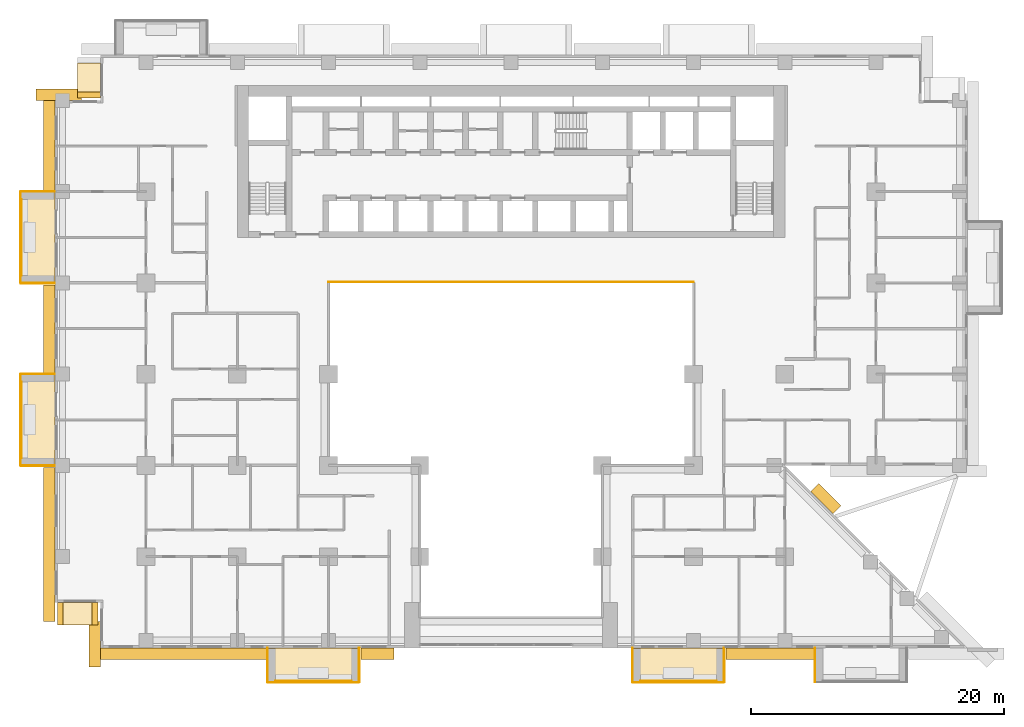
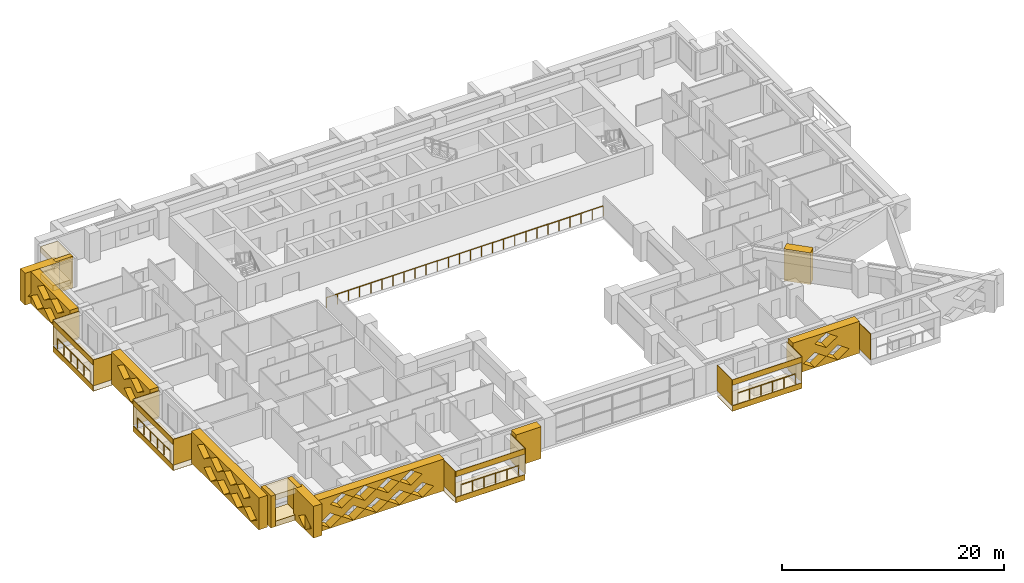
# One storey, part 14 of 17: 37 coverings, 5 railings.
"""IFC4 building model written with IfcOpenShell, lengths in metres."""

from ifc_helpers import new_model, si_unit, direction, frame, origin, origin_2d, place, context, subcontext, project, spatial, polyline, circle, outline, extrude, material, layer, layer_set, type_object, element, save


model = new_model("IFC4")

# Units and contexts
model_context = context("Model", 3, precision=1e-05, world=origin(), true_north=direction((0.0, 1.0)))
body_context = subcontext(model_context, "Body", "Model", "MODEL_VIEW")
ifc_project = project(units=[si_unit("LENGTHUNIT", "METRE"), si_unit("AREAUNIT", "SQUARE_METRE"), si_unit("VOLUMEUNIT", "CUBIC_METRE"), si_unit("PLANEANGLEUNIT", "RADIAN"), si_unit("MASSUNIT", "GRAM", prefix="KILO")], contexts=[model_context])

# Site, building, storey
site_placement = place(None, origin())
site = spatial("IfcSite", under=ifc_project, at=site_placement, CompositionType="ELEMENT")
building_placement = place(site_placement, origin())
building = spatial("IfcBuilding", under=site, at=building_placement, Name="Saffron Iwan Residences", CompositionType="ELEMENT")
storey_placement = place(building_placement, frame((0.0, 0.0, 37.5)))
storey = spatial("IfcBuildingStorey", under=building, at=storey_placement, Name="L08", CompositionType="ELEMENT", Elevation=37.5)

# Railings
ifc_material_1 = material(Name="Stainless steel 316", Category="steel")
railing_type_1 = type_object("IfcRailingType", Name="Atrium guard 1150", PredefinedType="GUARDRAIL", material=ifc_material_1)
railing_placement = place(storey_placement, frame((36.0, 62.47509765625, 0.0)))
element("IfcRailing", 1, at=railing_placement, inside=storey, type_object=railing_type_1, Name="Atrium guard L08", PredefinedType="GUARDRAIL", context=body_context, shape_type="SweptSolid", body=[
    extrude(circle(Radius=0.02392578125, at=origin_2d()), frame((0.0, 0.0, 1.1259765625), z_axis=(1.0, 0.0, 0.0), x_axis=(0.0, 1.0, 0.0)), (0.0, 0.0, 1.0), 28.800048828125),
    extrude(circle(Radius=0.02099609375, at=origin_2d()), origin(), (0.0, 0.0, 1.0), 1.101806640625),
    extrude(circle(Radius=0.02099609375, at=origin_2d()), frame((1.152099609375, 0.0, 0.0)), (0.0, 0.0, 1.0), 1.101806640625),
    extrude(circle(Radius=0.02099609375, at=origin_2d()), frame((2.303955078125, 0.0, 0.0)), (0.0, 0.0, 1.0), 1.101806640625),
    extrude(circle(Radius=0.02099609375, at=origin_2d()), frame((3.4560546875, 0.0, 0.0)), (0.0, 0.0, 1.0), 1.101806640625),
    extrude(circle(Radius=0.02099609375, at=origin_2d()), frame((4.60791015625, 0.0, 0.0)), (0.0, 0.0, 1.0), 1.101806640625),
    extrude(circle(Radius=0.02099609375, at=origin_2d()), frame((5.760009765625, 0.0, 0.0)), (0.0, 0.0, 1.0), 1.101806640625),
    extrude(circle(Radius=0.02099609375, at=origin_2d()), frame((6.912109375, 0.0, 0.0)), (0.0, 0.0, 1.0), 1.101806640625),
    extrude(circle(Radius=0.02099609375, at=origin_2d()), frame((8.06396484375, 0.0, 0.0)), (0.0, 0.0, 1.0), 1.101806640625),
    extrude(circle(Radius=0.02099609375, at=origin_2d()), frame((9.216064453125, 0.0, 0.0)), (0.0, 0.0, 1.0), 1.101806640625),
    extrude(circle(Radius=0.02099609375, at=origin_2d()), frame((10.367919921875, 0.0, 0.0)), (0.0, 0.0, 1.0), 1.101806640625),
    extrude(circle(Radius=0.02099609375, at=origin_2d()), frame((11.52001953125, 0.0, 0.0)), (0.0, 0.0, 1.0), 1.101806640625),
    extrude(circle(Radius=0.02099609375, at=origin_2d()), frame((12.672119140625, 0.0, 0.0)), (0.0, 0.0, 1.0), 1.101806640625),
    extrude(circle(Radius=0.02099609375, at=origin_2d()), frame((13.823974609375, 0.0, 0.0)), (0.0, 0.0, 1.0), 1.101806640625),
    extrude(circle(Radius=0.02099609375, at=origin_2d()), frame((14.97607421875, 0.0, 0.0)), (0.0, 0.0, 1.0), 1.101806640625),
    extrude(circle(Radius=0.02099609375, at=origin_2d()), frame((16.1279296875, 0.0, 0.0)), (0.0, 0.0, 1.0), 1.101806640625),
    extrude(circle(Radius=0.02099609375, at=origin_2d()), frame((17.280029296875, 0.0, 0.0)), (0.0, 0.0, 1.0), 1.101806640625),
    extrude(circle(Radius=0.02099609375, at=origin_2d()), frame((18.43212890625, 0.0, 0.0)), (0.0, 0.0, 1.0), 1.101806640625),
    extrude(circle(Radius=0.02099609375, at=origin_2d()), frame((19.583984375, 0.0, 0.0)), (0.0, 0.0, 1.0), 1.101806640625),
    extrude(circle(Radius=0.02099609375, at=origin_2d()), frame((20.736083984375, 0.0, 0.0)), (0.0, 0.0, 1.0), 1.101806640625),
    extrude(circle(Radius=0.02099609375, at=origin_2d()), frame((21.887939453125, 0.0, 0.0)), (0.0, 0.0, 1.0), 1.101806640625),
    extrude(circle(Radius=0.02099609375, at=origin_2d()), frame((23.0400390625, 0.0, 0.0)), (0.0, 0.0, 1.0), 1.101806640625),
    extrude(circle(Radius=0.02099609375, at=origin_2d()), frame((24.192138671875, 0.0, 0.0)), (0.0, 0.0, 1.0), 1.101806640625),
    extrude(circle(Radius=0.02099609375, at=origin_2d()), frame((25.343994140625, 0.0, 0.0)), (0.0, 0.0, 1.0), 1.101806640625),
    extrude(circle(Radius=0.02099609375, at=origin_2d()), frame((26.49609375, 0.0, 0.0)), (0.0, 0.0, 1.0), 1.101806640625),
    extrude(circle(Radius=0.02099609375, at=origin_2d()), frame((27.64794921875, 0.0, 0.0)), (0.0, 0.0, 1.0), 1.101806640625),
    extrude(circle(Radius=0.02099609375, at=origin_2d()), frame((28.800048828125, 0.0, 0.0)), (0.0, 0.0, 1.0), 1.101806640625),
])
railing_type_2 = type_object("IfcRailingType", Name="BALCONY GUARD 1150", PredefinedType="GUARDRAIL", material=ifc_material_1)
for number, where, name in (
    (2, (11.77490234375, 69.0, 0.0), "Balcony guard L08 F8-0"),
    (3, (11.77490234375, 54.60009765625, 0.0), "Balcony guard L08 F8-1"),
):
    element("IfcRailing", number, at=place(storey_placement, frame(where)), inside=storey, type_object=railing_type_2, Name=name, PredefinedType="GUARDRAIL", context=body_context, shape_type="SweptSolid", body=[
        extrude(circle(Radius=0.02392578125, at=origin_2d()), frame((0.0, 0.0, 1.1259765625), z_axis=(0.0, -1.0, 0.0), x_axis=(1.0, 0.0, 0.0)), (0.0, 0.0, 1.0), 6.0),
        extrude(circle(Radius=0.02099609375, at=origin_2d()), origin(), (0.0, 0.0, 1.0), 1.101806640625),
        extrude(circle(Radius=0.02099609375, at=origin_2d()), frame((0.0, -1.199951171875, 0.0)), (0.0, 0.0, 1.0), 1.101806640625),
        extrude(circle(Radius=0.02099609375, at=origin_2d()), frame((0.0, -2.39990234375, 0.0)), (0.0, 0.0, 1.0), 1.101806640625),
        extrude(circle(Radius=0.02099609375, at=origin_2d()), frame((0.0, -3.60009765625, 0.0)), (0.0, 0.0, 1.0), 1.101806640625),
        extrude(circle(Radius=0.02099609375, at=origin_2d()), frame((0.0, -4.800048828125, 0.0)), (0.0, 0.0, 1.0), 1.101806640625),
        extrude(circle(Radius=0.02099609375, at=origin_2d()), frame((0.0, -6.0, 0.0)), (0.0, 0.0, 1.0), 1.101806640625),
    ])
for number, where, name in (
    (4, (31.800048828125, 30.97509765625, 0.0), "Balcony guard L08 11-0"),
    (5, (60.60009765625, 30.97509765625, 0.0), "Balcony guard L08 11-1"),
):
    element("IfcRailing", number, at=place(storey_placement, frame(where)), inside=storey, type_object=railing_type_2, Name=name, PredefinedType="GUARDRAIL", context=body_context, shape_type="SweptSolid", body=[
        extrude(circle(Radius=0.02392578125, at=origin_2d()), frame((0.0, 0.0, 1.1259765625), z_axis=(1.0, 0.0, 0.0), x_axis=(0.0, 1.0, 0.0)), (0.0, 0.0, 1.0), 6.0),
        extrude(circle(Radius=0.02099609375, at=origin_2d()), origin(), (0.0, 0.0, 1.0), 1.101806640625),
        extrude(circle(Radius=0.02099609375, at=origin_2d()), frame((1.199951171875, 0.0, 0.0)), (0.0, 0.0, 1.0), 1.101806640625),
        extrude(circle(Radius=0.02099609375, at=origin_2d()), frame((2.39990234375, 0.0, 0.0)), (0.0, 0.0, 1.0), 1.101806640625),
        extrude(circle(Radius=0.02099609375, at=origin_2d()), frame((3.60009765625, 0.0, 0.0)), (0.0, 0.0, 1.0), 1.101806640625),
        extrude(circle(Radius=0.02099609375, at=origin_2d()), frame((4.800048828125, 0.0, 0.0)), (0.0, 0.0, 1.0), 1.101806640625),
        extrude(circle(Radius=0.02099609375, at=origin_2d()), frame((6.0, 0.0, 0.0)), (0.0, 0.0, 1.0), 1.101806640625),
    ])

# Coverings
ifc_material_2 = material(Name="Precast concrete C40/50 white painted", Category="concrete")
ifc_layer = layer(ifc_material_2, 0.050048828125)
ifc_layer_set = layer_set([ifc_layer], Name="Precast concrete C40/50 white painted")
covering_type_1 = type_object("IfcCoveringType", Name="FRAME SKIN PRECAST WHITE 50", PredefinedType="CLADDING", material=ifc_layer_set)
for number, where, name in (
    (6, (0.0, 0.0, -0.60009765625), "Frame skin slab edge L08 F8-0"),
    (7, (0.0, 0.0, 2.25), "Frame skin fascia L08 F8-0"),
):
    element("IfcCovering", number, at=place(storey_placement, frame(where)), inside=storey, type_object=covering_type_1, Name=name, PredefinedType="CLADDING", context=body_context, shape_type="SweptSolid", body=[
        extrude(outline(polyline([(11.64990234375, 69.60009765625), (11.64990234375, 62.39990234375), (11.699951171875, 62.39990234375), (11.699951171875, 69.60009765625), (11.64990234375, 69.60009765625)])), origin(), (0.0, 0.0, 1.0), 0.60009765625),
    ])
covering_1_placement = place(storey_placement, frame((0.0, 0.0, -0.64990234375)))
element("IfcCovering", 8, at=covering_1_placement, inside=storey, type_object=covering_type_1, Name="Frame skin soffit L08 F8-0", PredefinedType="CLADDING", context=body_context, shape_type="SweptSolid", body=[
    extrude(outline(polyline([(11.699951171875, 69.60009765625), (11.699951171875, 62.39990234375), (14.39990234375, 62.39990234375), (14.39990234375, 69.60009765625), (11.699951171875, 69.60009765625)])), origin(), (0.0, 0.0, 1.0), 0.0498046875),
])
covering_2_placement = place(storey_placement, origin())
element("IfcCovering", 9, at=covering_2_placement, inside=storey, type_object=covering_type_1, Name="Frame skin fin L08 F8-0a", PredefinedType="CLADDING", context=body_context, shape_type="SweptSolid", body=[
    extrude(outline(polyline([(11.699951171875, 69.64990234375), (11.699951171875, 69.60009765625), (14.39990234375, 69.60009765625), (14.39990234375, 69.64990234375), (11.699951171875, 69.64990234375)])), origin(), (0.0, 0.0, 1.0), 2.85009765625),
])
covering_3_placement = place(storey_placement, origin())
element("IfcCovering", 10, at=covering_3_placement, inside=storey, type_object=covering_type_1, Name="Frame skin fin L08 F8-0b", PredefinedType="CLADDING", context=body_context, shape_type="SweptSolid", body=[
    extrude(outline(polyline([(11.699951171875, 62.39990234375), (11.699951171875, 62.35009765625), (14.39990234375, 62.35009765625), (14.39990234375, 62.39990234375), (11.699951171875, 62.39990234375)])), origin(), (0.0, 0.0, 1.0), 2.85009765625),
])
for number, where, name in (
    (11, (0.0, 0.0, -0.60009765625), "Frame skin slab edge L08 F8-1"),
    (12, (0.0, 0.0, 2.25), "Frame skin fascia L08 F8-1"),
):
    element("IfcCovering", number, at=place(storey_placement, frame(where)), inside=storey, type_object=covering_type_1, Name=name, PredefinedType="CLADDING", context=body_context, shape_type="SweptSolid", body=[
        extrude(outline(polyline([(11.64990234375, 55.199951171875), (11.64990234375, 48.0), (11.699951171875, 48.0), (11.699951171875, 55.199951171875), (11.64990234375, 55.199951171875)])), origin(), (0.0, 0.0, 1.0), 0.60009765625),
    ])
covering_4_placement = place(storey_placement, frame((0.0, 0.0, -0.64990234375)))
element("IfcCovering", 13, at=covering_4_placement, inside=storey, type_object=covering_type_1, Name="Frame skin soffit L08 F8-1", PredefinedType="CLADDING", context=body_context, shape_type="SweptSolid", body=[
    extrude(outline(polyline([(11.699951171875, 55.199951171875), (11.699951171875, 48.0), (14.39990234375, 48.0), (14.39990234375, 55.199951171875), (11.699951171875, 55.199951171875)])), origin(), (0.0, 0.0, 1.0), 0.0498046875),
])
covering_5_placement = place(storey_placement, origin())
element("IfcCovering", 14, at=covering_5_placement, inside=storey, type_object=covering_type_1, Name="Frame skin fin L08 F8-1a", PredefinedType="CLADDING", context=body_context, shape_type="SweptSolid", body=[
    extrude(outline(polyline([(11.699951171875, 55.25), (11.699951171875, 55.199951171875), (14.39990234375, 55.199951171875), (14.39990234375, 55.25), (11.699951171875, 55.25)])), origin(), (0.0, 0.0, 1.0), 2.85009765625),
])
covering_6_placement = place(storey_placement, origin())
element("IfcCovering", 15, at=covering_6_placement, inside=storey, type_object=covering_type_1, Name="Frame skin fin L08 F8-1b", PredefinedType="CLADDING", context=body_context, shape_type="SweptSolid", body=[
    extrude(outline(polyline([(11.699951171875, 48.0), (11.699951171875, 47.949951171875), (14.39990234375, 47.949951171875), (14.39990234375, 48.0), (11.699951171875, 48.0)])), origin(), (0.0, 0.0, 1.0), 2.85009765625),
])
for number, where, name in (
    (16, (0.0, 0.0, -0.60009765625), "Frame skin slab edge L08 11-0"),
    (17, (0.0, 0.0, 2.25), "Frame skin fascia L08 11-0"),
):
    element("IfcCovering", number, at=place(storey_placement, frame(where)), inside=storey, type_object=covering_type_1, Name=name, PredefinedType="CLADDING", context=body_context, shape_type="SweptSolid", body=[
        extrude(outline(polyline([(31.199951171875, 30.85009765625), (38.39990234375, 30.85009765625), (38.39990234375, 30.89990234375), (31.199951171875, 30.89990234375), (31.199951171875, 30.85009765625)])), origin(), (0.0, 0.0, 1.0), 0.60009765625),
    ])
covering_7_placement = place(storey_placement, frame((0.0, 0.0, -0.64990234375)))
element("IfcCovering", 18, at=covering_7_placement, inside=storey, type_object=covering_type_1, Name="Frame skin soffit L08 11-0", PredefinedType="CLADDING", context=body_context, shape_type="SweptSolid", body=[
    extrude(outline(polyline([(31.199951171875, 30.89990234375), (38.39990234375, 30.89990234375), (38.39990234375, 33.60009765625), (31.199951171875, 33.60009765625), (31.199951171875, 30.89990234375)])), origin(), (0.0, 0.0, 1.0), 0.0498046875),
])
covering_8_placement = place(storey_placement, origin())
element("IfcCovering", 19, at=covering_8_placement, inside=storey, type_object=covering_type_1, Name="Frame skin fin L08 11-0a", PredefinedType="CLADDING", context=body_context, shape_type="SweptSolid", body=[
    extrude(outline(polyline([(31.14990234375, 30.89990234375), (31.199951171875, 30.89990234375), (31.199951171875, 33.60009765625), (31.14990234375, 33.60009765625), (31.14990234375, 30.89990234375)])), origin(), (0.0, 0.0, 1.0), 2.85009765625),
])
covering_9_placement = place(storey_placement, origin())
element("IfcCovering", 20, at=covering_9_placement, inside=storey, type_object=covering_type_1, Name="Frame skin fin L08 11-0b", PredefinedType="CLADDING", context=body_context, shape_type="SweptSolid", body=[
    extrude(outline(polyline([(38.39990234375, 30.89990234375), (38.449951171875, 30.89990234375), (38.449951171875, 33.60009765625), (38.39990234375, 33.60009765625), (38.39990234375, 30.89990234375)])), origin(), (0.0, 0.0, 1.0), 2.85009765625),
])
for number, where, name in (
    (21, (0.0, 0.0, -0.60009765625), "Frame skin slab edge L08 11-1"),
    (22, (0.0, 0.0, 2.25), "Frame skin fascia L08 11-1"),
):
    element("IfcCovering", number, at=place(storey_placement, frame(where)), inside=storey, type_object=covering_type_1, Name=name, PredefinedType="CLADDING", context=body_context, shape_type="SweptSolid", body=[
        extrude(outline(polyline([(60.0, 30.85009765625), (67.199951171875, 30.85009765625), (67.199951171875, 30.89990234375), (60.0, 30.89990234375), (60.0, 30.85009765625)])), origin(), (0.0, 0.0, 1.0), 0.60009765625),
    ])
covering_10_placement = place(storey_placement, frame((0.0, 0.0, -0.64990234375)))
element("IfcCovering", 23, at=covering_10_placement, inside=storey, type_object=covering_type_1, Name="Frame skin soffit L08 11-1", PredefinedType="CLADDING", context=body_context, shape_type="SweptSolid", body=[
    extrude(outline(polyline([(60.0, 30.89990234375), (67.199951171875, 30.89990234375), (67.199951171875, 33.60009765625), (60.0, 33.60009765625), (60.0, 30.89990234375)])), origin(), (0.0, 0.0, 1.0), 0.0498046875),
])
covering_11_placement = place(storey_placement, origin())
element("IfcCovering", 24, at=covering_11_placement, inside=storey, type_object=covering_type_1, Name="Frame skin fin L08 11-1a", PredefinedType="CLADDING", context=body_context, shape_type="SweptSolid", body=[
    extrude(outline(polyline([(59.949951171875, 30.89990234375), (60.0, 30.89990234375), (60.0, 33.60009765625), (59.949951171875, 33.60009765625), (59.949951171875, 30.89990234375)])), origin(), (0.0, 0.0, 1.0), 2.85009765625),
])
covering_12_placement = place(storey_placement, origin())
element("IfcCovering", 25, at=covering_12_placement, inside=storey, type_object=covering_type_1, Name="Frame skin fin L08 11-1b", PredefinedType="CLADDING", context=body_context, shape_type="SweptSolid", body=[
    extrude(outline(polyline([(67.199951171875, 30.89990234375), (67.25, 30.89990234375), (67.25, 33.60009765625), (67.199951171875, 33.60009765625), (67.199951171875, 30.89990234375)])), origin(), (0.0, 0.0, 1.0), 2.85009765625),
])
covering_13_placement = place(storey_placement, origin())
element("IfcCovering", 26, at=covering_13_placement, inside=storey, type_object=covering_type_1, Name="Frame skin fin L08 11-2a", PredefinedType="CLADDING", context=body_context, shape_type="SweptSolid", body=[
    extrude(outline(polyline([(74.35009765625, 30.89990234375), (74.39990234375, 30.89990234375), (74.39990234375, 33.60009765625), (74.35009765625, 33.60009765625), (74.35009765625, 30.89990234375)])), origin(), (0.0, 0.0, 1.0), 2.85009765625),
])
ifc_material_3 = material(Name="Precast concrete C40/50", Category="concrete")
covering_type_2 = type_object("IfcCoveringType", Name="OUTER SKIN LATTICE SCREEN", PredefinedType="CLADDING", material=ifc_material_3)
covering_14_placement = place(storey_placement, frame((75.805908203125, 44.194091796875, -0.320068359375), z_axis=(0.707106781187, 0.707106781187, 0.0), x_axis=(-0.707106781187, 0.707106781187, 0.0)))
element("IfcCovering", 27, at=covering_14_placement, inside=storey, type_object=covering_type_2, Name="OUTER SKIN lattice screen L08 F0.1", PredefinedType="CLADDING", context=body_context, shape_type="SweptSolid", body=[
    extrude(outline(polyline([(0.0, 0.0), (2.4853515625, 0.0), (2.4853515625, 3.5), (0.0, 3.5), (0.0, 0.0)])), origin(), (0.0, 0.0, 1.0), 0.900146484375),
])
covering_15_placement = place(storey_placement, frame((16.5, 76.800048828125, -0.320068359375), z_axis=(0.0, 1.0, 0.0), x_axis=(-1.0, 0.0, 0.0)))
element("IfcCovering", 28, at=covering_15_placement, inside=storey, type_object=covering_type_2, Name="OUTER SKIN lattice screen L08 F7.0", PredefinedType="CLADDING", context=body_context, shape_type="SweptSolid", body=[
    extrude(outline(polyline([(0.0, 0.0), (3.60009765625, 0.0), (3.60009765625, 3.5), (0.0, 3.5), (0.0, 0.0)]), holes=[polyline([(0.919921875, 0.875), (2.10009765625, 0.06005859375), (3.280029296875, 0.875), (2.10009765625, 1.68994140625), (0.919921875, 0.875)])]), origin(), (0.0, 0.0, 1.0), 0.89990234375),
])
covering_16_placement = place(storey_placement, frame((14.39990234375, 77.699951171875, -0.320068359375), z_axis=(-1.0, 0.0, 0.0), x_axis=(0.0, -1.0, 0.0)))
element("IfcCovering", 29, at=covering_16_placement, inside=storey, type_object=covering_type_2, Name="OUTER SKIN lattice screen L08 F8.0", PredefinedType="CLADDING", context=body_context, shape_type="SweptSolid", body=[
    extrude(outline(polyline([(0.0, 0.0), (7.949951171875, 0.0), (7.949951171875, 3.5), (0.0, 3.5), (0.0, 0.0)]), holes=[polyline([(0.919921875, 0.875), (2.10009765625, 0.06005859375), (3.280029296875, 0.875), (2.10009765625, 1.68994140625), (0.919921875, 0.875)]), polyline([(3.320068359375, 0.875), (4.5, 0.06005859375), (5.679931640625, 0.875), (4.5, 1.68994140625), (3.320068359375, 0.875)]), polyline([(2.1201171875, 2.625), (3.300048828125, 1.81005859375), (4.47998046875, 2.625), (3.300048828125, 3.43994140625), (2.1201171875, 2.625)]), polyline([(4.52001953125, 2.625), (5.699951171875, 1.81005859375), (6.8798828125, 2.625), (5.699951171875, 3.43994140625), (4.52001953125, 2.625)])]), origin(), (0.0, 0.0, 1.0), 0.89990234375),
])
covering_17_placement = place(storey_placement, frame((14.39990234375, 62.25, -0.320068359375), z_axis=(-1.0, 0.0, 0.0), x_axis=(0.0, -1.0, 0.0)))
element("IfcCovering", 30, at=covering_17_placement, inside=storey, type_object=covering_type_2, Name="OUTER SKIN lattice screen L08 F8.1", PredefinedType="CLADDING", context=body_context, shape_type="SweptSolid", body=[
    extrude(outline(polyline([(0.0, 0.0), (6.89990234375, 0.0), (6.89990234375, 3.5), (0.0, 3.5), (0.0, 0.0)]), holes=[polyline([(2.27001953125, 0.875), (3.449951171875, 0.06005859375), (4.6298828125, 0.875), (3.449951171875, 1.68994140625), (2.27001953125, 0.875)]), polyline([(1.070068359375, 2.625), (2.25, 1.81005859375), (3.429931640625, 2.625), (2.25, 3.43994140625), (1.070068359375, 2.625)]), polyline([(3.469970703125, 2.625), (4.64990234375, 1.81005859375), (5.830078125, 2.625), (4.64990234375, 3.43994140625), (3.469970703125, 2.625)])]), origin(), (0.0, 0.0, 1.0), 0.89990234375),
])
covering_18_placement = place(storey_placement, frame((14.39990234375, 47.85009765625, -0.320068359375), z_axis=(-1.0, 0.0, 0.0), x_axis=(0.0, -1.0, 0.0)))
element("IfcCovering", 31, at=covering_18_placement, inside=storey, type_object=covering_type_2, Name="OUTER SKIN lattice screen L08 F8.2", PredefinedType="CLADDING", context=body_context, shape_type="SweptSolid", body=[
    extrude(outline(polyline([(0.0, 0.0), (12.14990234375, 0.0), (12.14990234375, 3.5), (0.0, 3.5), (0.0, 0.0)]), holes=[polyline([(2.27001953125, 0.875), (3.449951171875, 0.06005859375), (4.6298828125, 0.875), (3.449951171875, 1.68994140625), (2.27001953125, 0.875)]), polyline([(4.669921875, 0.875), (5.85009765625, 0.06005859375), (7.030029296875, 0.875), (5.85009765625, 1.68994140625), (4.669921875, 0.875)]), polyline([(7.070068359375, 0.875), (8.25, 0.06005859375), (9.429931640625, 0.875), (8.25, 1.68994140625), (7.070068359375, 0.875)]), polyline([(9.469970703125, 0.875), (10.64990234375, 0.06005859375), (11.830078125, 0.875), (10.64990234375, 1.68994140625), (9.469970703125, 0.875)]), polyline([(1.070068359375, 2.625), (2.25, 1.81005859375), (3.429931640625, 2.625), (2.25, 3.43994140625), (1.070068359375, 2.625)]), polyline([(3.469970703125, 2.625), (4.64990234375, 1.81005859375), (5.830078125, 2.625), (4.64990234375, 3.43994140625), (3.469970703125, 2.625)]), polyline([(5.8701171875, 2.625), (7.050048828125, 1.81005859375), (8.22998046875, 2.625), (7.050048828125, 3.43994140625), (5.8701171875, 2.625)]), polyline([(8.27001953125, 2.625), (9.449951171875, 1.81005859375), (10.6298828125, 2.625), (9.449951171875, 3.43994140625), (8.27001953125, 2.625)])]), origin(), (0.0, 0.0, 1.0), 0.89990234375),
])
covering_19_placement = place(storey_placement, frame((18.0, 35.699951171875, -0.320068359375), z_axis=(-1.0, 0.0, 0.0), x_axis=(0.0, -1.0, 0.0)))
element("IfcCovering", 32, at=covering_19_placement, inside=storey, type_object=covering_type_2, Name="OUTER SKIN lattice screen L08 F10.0", PredefinedType="CLADDING", context=body_context, shape_type="SweptSolid", body=[
    extrude(outline(polyline([(0.0, 0.0), (3.60009765625, 0.0), (3.60009765625, 3.5), (0.0, 3.5), (0.0, 0.0)]), holes=[polyline([(0.919921875, 0.875), (2.10009765625, 0.06005859375), (3.280029296875, 0.875), (2.10009765625, 1.68994140625), (0.919921875, 0.875)])]), origin(), (0.0, 0.0, 1.0), 0.89990234375),
])
covering_20_placement = place(storey_placement, frame((17.10009765625, 33.60009765625, -0.320068359375), z_axis=(0.0, -1.0, 0.0), x_axis=(1.0, 0.0, 0.0)))
element("IfcCovering", 33, at=covering_20_placement, inside=storey, type_object=covering_type_2, Name="OUTER SKIN lattice screen L08 F11.0", PredefinedType="CLADDING", context=body_context, shape_type="SweptSolid", body=[
    extrude(outline(polyline([(0.0, 0.0), (13.949951171875, 0.0), (13.949951171875, 3.5), (0.0, 3.5), (0.0, 0.0)]), holes=[polyline([(0.919921875, 0.875), (2.10009765625, 0.06005859375), (3.280029296875, 0.875), (2.10009765625, 1.68994140625), (0.919921875, 0.875)]), polyline([(3.320068359375, 0.875), (4.5, 0.06005859375), (5.679931640625, 0.875), (4.5, 1.68994140625), (3.320068359375, 0.875)]), polyline([(5.719970703125, 0.875), (6.89990234375, 0.06005859375), (8.080078125, 0.875), (6.89990234375, 1.68994140625), (5.719970703125, 0.875)]), polyline([(8.1201171875, 0.875), (9.300048828125, 0.06005859375), (10.47998046875, 0.875), (9.300048828125, 1.68994140625), (8.1201171875, 0.875)]), polyline([(10.52001953125, 0.875), (11.699951171875, 0.06005859375), (12.8798828125, 0.875), (11.699951171875, 1.68994140625), (10.52001953125, 0.875)]), polyline([(2.1201171875, 2.625), (3.300048828125, 1.81005859375), (4.47998046875, 2.625), (3.300048828125, 3.43994140625), (2.1201171875, 2.625)]), polyline([(4.52001953125, 2.625), (5.699951171875, 1.81005859375), (6.8798828125, 2.625), (5.699951171875, 3.43994140625), (4.52001953125, 2.625)]), polyline([(6.919921875, 2.625), (8.10009765625, 1.81005859375), (9.280029296875, 2.625), (8.10009765625, 3.43994140625), (6.919921875, 2.625)]), polyline([(9.320068359375, 2.625), (10.5, 1.81005859375), (11.679931640625, 2.625), (10.5, 3.43994140625), (9.320068359375, 2.625)])]), origin(), (0.0, 0.0, 1.0), 0.900146484375),
])
covering_21_placement = place(storey_placement, frame((38.550048828125, 33.60009765625, -0.320068359375), z_axis=(0.0, -1.0, 0.0), x_axis=(1.0, 0.0, 0.0)))
element("IfcCovering", 34, at=covering_21_placement, inside=storey, type_object=covering_type_2, Name="OUTER SKIN lattice screen L08 F11.1", PredefinedType="CLADDING", context=body_context, shape_type="SweptSolid", body=[
    extrude(outline(polyline([(0.0, 0.0), (2.60009765625, 0.0), (2.60009765625, 3.5), (0.0, 3.5), (0.0, 0.0)])), origin(), (0.0, 0.0, 1.0), 0.900146484375),
])
covering_22_placement = place(storey_placement, frame((67.35009765625, 33.60009765625, -0.320068359375), z_axis=(0.0, -1.0, 0.0), x_axis=(1.0, 0.0, 0.0)))
element("IfcCovering", 35, at=covering_22_placement, inside=storey, type_object=covering_type_2, Name="OUTER SKIN lattice screen L08 F11.2", PredefinedType="CLADDING", context=body_context, shape_type="SweptSolid", body=[
    extrude(outline(polyline([(0.0, 0.0), (6.89990234375, 0.0), (6.89990234375, 3.5), (0.0, 3.5), (0.0, 0.0)]), holes=[polyline([(1.070068359375, 0.875), (2.25, 0.06005859375), (3.429931640625, 0.875), (2.25, 1.68994140625), (1.070068359375, 0.875)]), polyline([(3.469970703125, 0.875), (4.64990234375, 0.06005859375), (5.830078125, 0.875), (4.64990234375, 1.68994140625), (3.469970703125, 0.875)]), polyline([(2.27001953125, 2.625), (3.449951171875, 1.81005859375), (4.6298828125, 2.625), (3.449951171875, 3.43994140625), (2.27001953125, 2.625)])]), origin(), (0.0, 0.0, 1.0), 0.900146484375),
])
covering_type_3 = type_object("IfcCoveringType", Name="WHITE SUN FRAME PRECAST", PredefinedType="CLADDING", material=ifc_material_2)
covering_23_placement = place(storey_placement, frame((18.0, 77.449951171875, -0.320068359375), z_axis=(-1.0, 0.0, 0.0), x_axis=(0.0, -1.0, 0.0)))
element("IfcCovering", 36, at=covering_23_placement, inside=storey, type_object=covering_type_3, Name="Sun frame L08 F6 0.2b", PredefinedType="CLADDING", context=body_context, shape_type="SweptSolid", body=[
    extrude(outline(polyline([(0.0, 0.0), (0.449951171875, 0.0), (0.449951171875, 3.5), (0.0, 3.5), (0.0, 0.0)])), origin(), (0.0, 0.0, 1.0), 1.800048828125),
])
for number, where, z_axis, x_axis, name in (
    (37, (18.0, 79.75, 2.580078125), (-1.0, 0.0, 0.0), (0.0, -1.0, 0.0), "Sun frame L08 F6 0.2h"),
    (38, (18.0, 79.75, -0.320068359375), (-1.0, 0.0, 0.0), (0.0, -1.0, 0.0), "Sun frame L08 F6 0.2s"),
):
    element("IfcCovering", number, at=place(storey_placement, frame(where, z_axis=z_axis, x_axis=x_axis)), inside=storey, type_object=covering_type_3, Name=name, PredefinedType="CLADDING", context=body_context, shape_type="SweptSolid", body=[
        extrude(outline(polyline([(0.0, 0.0), (2.300048828125, 0.0), (2.300048828125, 0.60009765625), (0.0, 0.60009765625), (0.0, 0.0)])), origin(), (0.0, 0.0, 1.0), 1.800048828125),
    ])
for number, where, z_axis, x_axis, name in (
    (39, (14.60009765625, 37.199951171875, -0.320068359375), (0.0, -1.0, 0.0), (1.0, 0.0, 0.0), "Sun frame L08 F9 0.2a"),
    (40, (17.35009765625, 37.199951171875, -0.320068359375), (0.0, -1.0, 0.0), (1.0, 0.0, 0.0), "Sun frame L08 F9 0.2b"),
):
    element("IfcCovering", number, at=place(storey_placement, frame(where, z_axis=z_axis, x_axis=x_axis)), inside=storey, type_object=covering_type_3, Name=name, PredefinedType="CLADDING", context=body_context, shape_type="SweptSolid", body=[
        extrude(outline(polyline([(0.0, 0.0), (0.449951171875, 0.0), (0.449951171875, 3.5), (0.0, 3.5), (0.0, 0.0)])), origin(), (0.0, 0.0, 1.0), 1.800048828125),
    ])
for number, where, z_axis, x_axis, name in (
    (41, (15.050048828125, 37.199951171875, 2.580078125), (0.0, -1.0, 0.0), (1.0, 0.0, 0.0), "Sun frame L08 F9 0.2h"),
    (42, (15.050048828125, 37.199951171875, -0.320068359375), (0.0, -1.0, 0.0), (1.0, 0.0, 0.0), "Sun frame L08 F9 0.2s"),
):
    element("IfcCovering", number, at=place(storey_placement, frame(where, z_axis=z_axis, x_axis=x_axis)), inside=storey, type_object=covering_type_3, Name=name, PredefinedType="CLADDING", context=body_context, shape_type="SweptSolid", body=[
        extrude(outline(polyline([(0.0, 0.0), (2.300048828125, 0.0), (2.300048828125, 0.60009765625), (0.0, 0.60009765625), (0.0, 0.0)])), origin(), (0.0, 0.0, 1.0), 1.800048828125),
    ])

save(model, "model.ifc")
